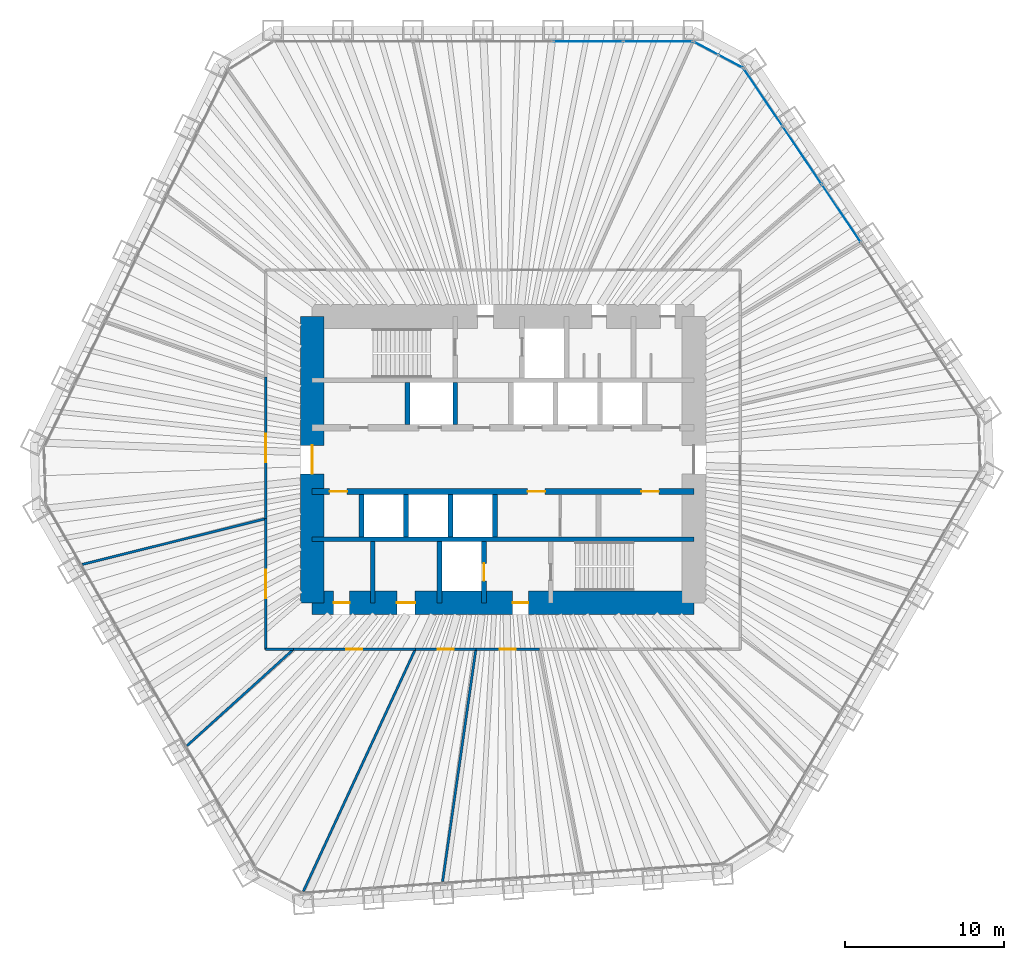
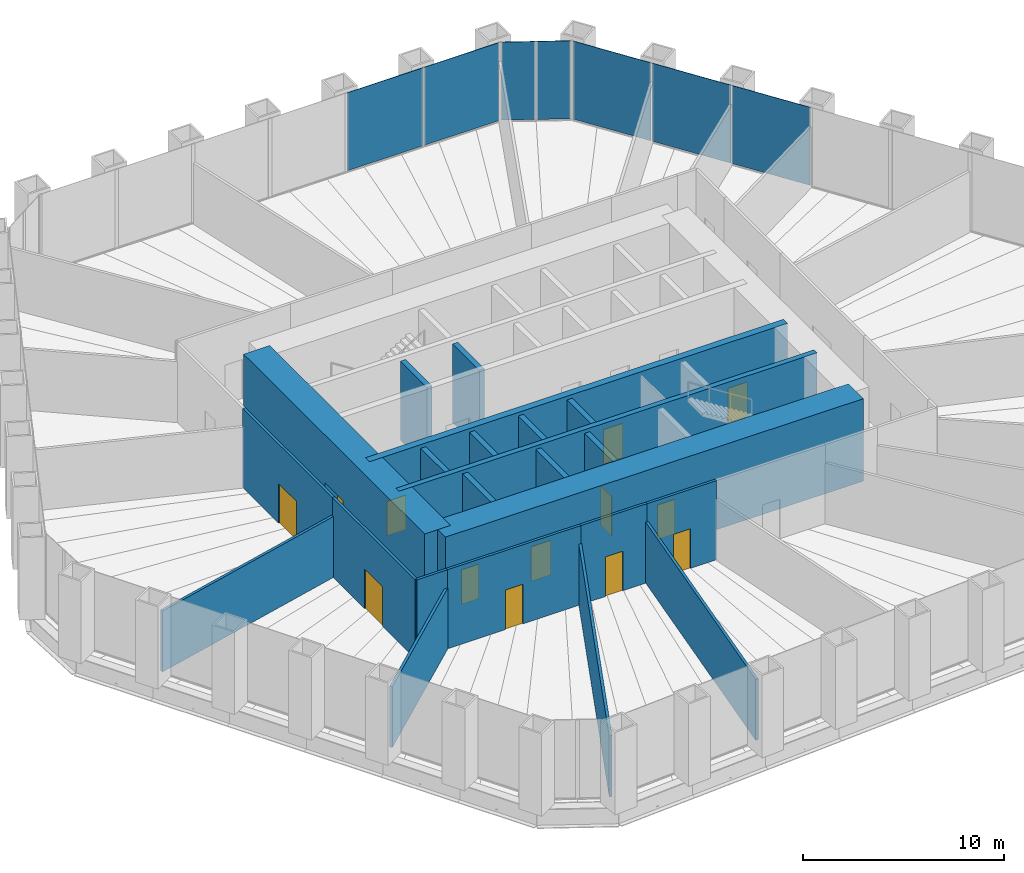
# One storey, part 10 of 14: 23 walls, 13 doors, 7 plates, 13 openings, 3 elements without a shape of their own.
"""IFC4 building model written with IfcOpenShell, lengths in metres."""

from ifc_helpers import new_model, si_unit, direction, frame, frame_2d, origin, origin_2d, place, context, subcontext, project, spatial, rectangle, extrude, material, layer, layer_set, type_object, element, fill, aggregate, save


model = new_model("IFC4")

# Units and contexts
model_context = context("Model", 3, precision=1e-05, world=origin(), true_north=direction((0.0, 1.0)))
body_context = subcontext(model_context, "Body", "Model", "MODEL_VIEW")
ifc_project = project(units=[si_unit("LENGTHUNIT", "METRE"), si_unit("AREAUNIT", "SQUARE_METRE"), si_unit("VOLUMEUNIT", "CUBIC_METRE"), si_unit("PLANEANGLEUNIT", "RADIAN"), si_unit("MASSUNIT", "GRAM", prefix="KILO")], contexts=[model_context])

# Site, building, storey
site_placement = place(None, origin())
site = spatial("IfcSite", under=ifc_project, at=site_placement, CompositionType="ELEMENT")
building_placement = place(site_placement, origin())
building = spatial("IfcBuilding", under=site, at=building_placement, Name="Qingtian Harvest Tower", CompositionType="ELEMENT")
storey_placement = place(building_placement, frame((0.0, 0.0, 82.0)))
storey = spatial("IfcBuildingStorey", under=building, at=storey_placement, Name="L16", CompositionType="ELEMENT", Elevation=82.0)

# Curtain wall, plates
ifc_material_1 = material(Name="Bronze-anodised aluminium curtain wall", Category="aluminium")
curtain_wall_type = type_object("IfcCurtainWallType", Name="Curtain wall CW2 farm reception", PredefinedType="USERDEFINED", material=ifc_material_1)
curtain_wall_1_placement = place(storey_placement, origin())
curtain_wall_1 = element("IfcCurtainWall", 1, at=curtain_wall_1_placement, inside=storey, type_object=curtain_wall_type, Name="Curtain wall CW2 L16 N0-5", ObjectType="RECESSED CURTAIN WALL", PredefinedType="USERDEFINED")
ifc_material_2 = material(Name="Bronze-tinted laminated insulating glass", Category="glass")
ifc_layer_1 = layer(ifc_material_2, 0.030029296875)
ifc_layer_set_1 = layer_set([ifc_layer_1], Name="Glazed panel CWP tinted IGU")
plate_type = type_object("IfcPlateType", Name="Glazed panel CWP tinted IGU", PredefinedType="CURTAIN_PANEL", material=ifc_layer_set_1)
plate_1_placement = place(storey_placement, frame((5.349365234375, 26.300048828125, 0.06494140625), z_axis=(0.0, 0.0, 1.0), x_axis=(1.0, 0.0, 0.0)))
plate_1 = element("IfcPlate", 2, at=plate_1_placement, type_object=plate_type, Name="CW2 panel 5.1", PredefinedType="CURTAIN_PANEL", context=body_context, shape_type="SweptSolid", body=[
    extrude(rectangle(XDim=4.339599609375, YDim=0.030029296875, at=origin_2d()), origin(), (0.0, 0.0, 1.0), 4.735107421875),
])
plate_2_placement = place(storey_placement, frame((9.737548828125, 26.300048828125, 0.06494140625), z_axis=(0.0, 0.0, 1.0), x_axis=(1.0, 0.0, 0.0)))
plate_2 = element("IfcPlate", 3, at=plate_2_placement, type_object=plate_type, Name="CW2 panel 6.1", PredefinedType="CURTAIN_PANEL", context=body_context, shape_type="SweptSolid", body=[
    extrude(rectangle(XDim=4.30712890625, YDim=0.030029296875, at=origin_2d()), origin(), (0.0, 0.0, 1.0), 4.735107421875),
])
aggregate(curtain_wall_1, [plate_1, plate_2])

curtain_wall_2_placement = place(storey_placement, origin())
curtain_wall_2 = element("IfcCurtainWall", 4, at=curtain_wall_2_placement, inside=storey, type_object=curtain_wall_type, Name="Curtain wall CW2 L16 NC", ObjectType="RECESSED CURTAIN WALL", PredefinedType="USERDEFINED")
plate_3_placement = place(storey_placement, frame((12.760986328125, 25.8720703125, 0.06494140625), z_axis=(0.0, 0.0, 1.0), x_axis=(0.882947592859, -0.469471562786, 0.0)))
plate_3 = element("IfcPlate", 5, at=plate_3_placement, type_object=plate_type, Name="CW2 panel 1.1", PredefinedType="CURTAIN_PANEL", context=body_context, shape_type="SweptSolid", body=[
    extrude(rectangle(XDim=1.69287109375, YDim=0.030029296875, at=origin_2d()), origin(), (0.0, 0.0, 1.0), 4.735107421875),
])
plate_4_placement = place(storey_placement, frame((14.31298828125, 25.046875, 0.06494140625), z_axis=(0.0, 0.0, 1.0), x_axis=(0.882947592859, -0.469471562786, 0.0)))
plate_4 = element("IfcPlate", 6, at=plate_4_placement, type_object=plate_type, Name="CW2 panel 2.1", PredefinedType="CURTAIN_PANEL", context=body_context, shape_type="SweptSolid", body=[
    extrude(rectangle(XDim=1.69287109375, YDim=0.030029296875, at=origin_2d()), origin(), (0.0, 0.0, 1.0), 4.735107421875),
])
aggregate(curtain_wall_2, [plate_3, plate_4])

curtain_wall_3_placement = place(storey_placement, origin())
curtain_wall_3 = element("IfcCurtainWall", 7, at=curtain_wall_3_placement, inside=storey, type_object=curtain_wall_type, Name="Curtain wall CW2 L16 NE0-5", ObjectType="RECESSED CURTAIN WALL", PredefinedType="USERDEFINED")
plate_5_placement = place(storey_placement, frame((16.3583984375, 22.779541015625, 0.06494140625), z_axis=(0.0, 0.0, 1.0), x_axis=(0.559192903471, -0.829037572555, 0.0)))
plate_5 = element("IfcPlate", 8, at=plate_5_placement, type_object=plate_type, Name="CW2 panel 1.1", PredefinedType="CURTAIN_PANEL", context=body_context, shape_type="SweptSolid", body=[
    extrude(rectangle(XDim=4.30712890625, YDim=0.030029296875, at=origin_2d()), origin(), (0.0, 0.0, 1.0), 4.735107421875),
])
plate_6_placement = place(storey_placement, frame((18.8125, 19.1416015625, 0.06494140625), z_axis=(0.0, 0.0, 1.0), x_axis=(0.559192903471, -0.829037572555, 0.0)))
plate_6 = element("IfcPlate", 9, at=plate_6_placement, type_object=plate_type, Name="CW2 panel 2.1", PredefinedType="CURTAIN_PANEL", context=body_context, shape_type="SweptSolid", body=[
    extrude(rectangle(XDim=4.339599609375, YDim=0.030029296875, at=origin_2d()), origin(), (0.0, 0.0, 1.0), 4.735107421875),
])
plate_7_placement = place(storey_placement, frame((21.275390625, 15.489990234375, 0.06494140625), z_axis=(0.0, 0.0, 1.0), x_axis=(0.559192903471, -0.829037572555, 0.0)))
plate_7 = element("IfcPlate", 10, at=plate_7_placement, type_object=plate_type, Name="CW2 panel 3.1", PredefinedType="CURTAIN_PANEL", context=body_context, shape_type="SweptSolid", body=[
    extrude(rectangle(XDim=4.339599609375, YDim=0.030029296875, at=origin_2d()), origin(), (0.0, 0.0, 1.0), 4.735107421875),
])
aggregate(curtain_wall_3, [plate_5, plate_6, plate_7])

# Wall
ifc_material_3 = material(Name="Concrete fc' 70 MPa", Category="concrete")
ifc_layer_2 = layer(ifc_material_3, 0.300048828125)
ifc_layer_set_2 = layer_set([ifc_layer_2], Name="Core inner wall RC5 300")
wall_type_1 = type_object("IfcWallType", Name="Core inner wall RC5 300", PredefinedType="SHEAR", material=ifc_layer_set_2)
wall_1_placement = place(storey_placement, frame((-12.0, -5.0, 0.0), z_axis=(0.0, 0.0, 1.0), x_axis=(1.0, 0.0, 0.0)))
element("IfcWall", 11, at=wall_1_placement, inside=storey, type_object=wall_type_1, Name="Core wall IS5 L16", PredefinedType="SHEAR", context=body_context, shape_type="SweptSolid", body=[
    extrude(rectangle(XDim=24.0, YDim=0.300048828125, at=frame_2d((12.0, 0.0))), origin(), (0.0, 0.0, 1.0), 5.0),
])

# Wall, openings, doors
ifc_material_4 = material(Name="Concrete fc' 70 MPa", Category="concrete")
ifc_layer_3 = layer(ifc_material_4, 0.39990234375)
ifc_layer_set_3 = layer_set([ifc_layer_3], Name="Core inner web RC6 400")
wall_type_2 = type_object("IfcWallType", Name="Core inner web RC6 400", PredefinedType="SHEAR", material=ifc_layer_set_3)
wall_2_placement = place(storey_placement, frame((-12.0, -2.0, 0.0), z_axis=(0.0, 0.0, 1.0), x_axis=(1.0, 0.0, 0.0)))
wall_2 = element("IfcWall", 12, at=wall_2_placement, inside=storey, type_object=wall_type_2, Name="Core wall IS2 L16", PredefinedType="SHEAR", context=body_context, shape_type="SweptSolid", body=[
    extrude(rectangle(XDim=24.0, YDim=0.39990234375, at=frame_2d((12.0, 0.0))), origin(), (0.0, 0.0, 1.0), 5.0),
])
opening_1_placement = place(wall_2_placement, frame((1.10009765625, 0.0, 0.0)))
opening_1 = element("IfcOpeningElement", 13, at=opening_1_placement, cuts=wall_2, Name="Opening FD4", PredefinedType="OPENING", context=body_context, shape_type="SweptSolid", body=[
    extrude(rectangle(XDim=1.10009765625, YDim=2.10009765625, at=frame_2d((0.550048828125, 1.050048828125))), frame((0.0, 0.2099609375, 0.0), z_axis=(0.0, -1.0, 0.0), x_axis=(1.0, 0.0, 0.0)), (0.0, 0.0, 1.0), 0.419921875),
])
opening_2_placement = place(wall_2_placement, frame((13.550048828125, 0.0, 0.0)))
opening_2 = element("IfcOpeningElement", 14, at=opening_2_placement, cuts=wall_2, Name="Opening FD4", PredefinedType="OPENING", context=body_context, shape_type="SweptSolid", body=[
    extrude(rectangle(XDim=1.10009765625, YDim=2.10009765625, at=frame_2d((0.550048828125, 1.050048828125))), frame((0.0, 0.2099609375, 0.0), z_axis=(0.0, -1.0, 0.0), x_axis=(1.0, 0.0, 0.0)), (0.0, 0.0, 1.0), 0.419921875),
])
opening_3_placement = place(wall_2_placement, frame((20.699951171875, 0.0, 0.0)))
opening_3 = element("IfcOpeningElement", 15, at=opening_3_placement, cuts=wall_2, Name="Opening FD4", PredefinedType="OPENING", context=body_context, shape_type="SweptSolid", body=[
    extrude(rectangle(XDim=1.10009765625, YDim=2.10009765625, at=frame_2d((0.550048828125, 1.050048828125))), frame((0.0, 0.2099609375, 0.0), z_axis=(0.0, -1.0, 0.0), x_axis=(1.0, 0.0, 0.0)), (0.0, 0.0, 1.0), 0.419921875),
])
ifc_material_5 = material(Name="Steel-faced door leaf", Category="steel")
door_type_1 = type_object("IfcDoorType", Name="Fire door FD4 single 2 HR", OperationType="SINGLE_SWING_LEFT", PredefinedType="DOOR", material=ifc_material_5)
door_1_placement = place(opening_1_placement, origin())
door_1 = element("IfcDoor", 16, at=door_1_placement, inside=storey, type_object=door_type_1, Name="RB door L16", OperationType="SINGLE_SWING_RIGHT", OverallHeight=2.10009765625, OverallWidth=1.10009765625, PredefinedType="DOOR", context=body_context, shape_type="SweptSolid", body=[
    extrude(rectangle(XDim=1.10009765625, YDim=2.10009765625, at=frame_2d((0.550048828125, 1.050048828125))), frame((0.0, 0.02490234375, 0.0), z_axis=(0.0, -1.0, 0.0), x_axis=(1.0, 0.0, 0.0)), (0.0, 0.0, 1.0), 0.050048828125),
])
fill(opening_1, door_1)
door_2_placement = place(opening_2_placement, origin())
door_2 = element("IfcDoor", 17, at=door_2_placement, inside=storey, type_object=door_type_1, Name="ELEC door L16", OperationType="SINGLE_SWING_LEFT", OverallHeight=2.10009765625, OverallWidth=1.10009765625, PredefinedType="DOOR", context=body_context, shape_type="SweptSolid", body=[
    extrude(rectangle(XDim=1.10009765625, YDim=2.10009765625, at=frame_2d((0.550048828125, 1.050048828125))), frame((0.0, 0.02490234375, 0.0), z_axis=(0.0, -1.0, 0.0), x_axis=(1.0, 0.0, 0.0)), (0.0, 0.0, 1.0), 0.050048828125),
])
fill(opening_2, door_2)
door_3_placement = place(opening_3_placement, origin())
door_3 = element("IfcDoor", 18, at=door_3_placement, inside=storey, type_object=door_type_1, Name="DUCT door L16", OperationType="SINGLE_SWING_RIGHT", OverallHeight=2.10009765625, OverallWidth=1.10009765625, PredefinedType="DOOR", context=body_context, shape_type="SweptSolid", body=[
    extrude(rectangle(XDim=1.10009765625, YDim=2.10009765625, at=frame_2d((0.550048828125, 1.050048828125))), frame((0.0, 0.02490234375, 0.0), z_axis=(0.0, -1.0, 0.0), x_axis=(1.0, 0.0, 0.0)), (0.0, 0.0, 1.0), 0.050048828125),
])
fill(opening_3, door_3)

# Walls
ifc_material_6 = material(Name="Precast concrete shaft panel", Category="concrete")
ifc_layer_4 = layer(ifc_material_6, 0.300048828125)
ifc_layer_set_4 = layer_set([ifc_layer_4], Name="Core shaft partition SW1 300")
wall_type_3 = type_object("IfcWallType", Name="Core shaft partition SW1 300", PredefinedType="PARTITIONING", material=ifc_layer_set_4)
for number, where, z_axis, x_axis, name in (
    (19, (-6.0, 2.199951171875, 0.0), (0.0, 0.0, 1.0), (0.0, 1.0, 0.0), "Core shaft partition XA1 L16"),
    (20, (-3.0, 2.199951171875, 0.0), (0.0, 0.0, 1.0), (0.0, 1.0, 0.0), "Core shaft partition XA2 L16"),
    (21, (-8.89990234375, -4.85009765625, 0.0), (0.0, 0.0, 1.0), (0.0, 1.0, 0.0), "Core shaft partition XB1 L16"),
    (22, (-6.10009765625, -4.85009765625, 0.0), (0.0, 0.0, 1.0), (0.0, 1.0, 0.0), "Core shaft partition XB2 L16"),
    (23, (-3.300048828125, -4.85009765625, 0.0), (0.0, 0.0, 1.0), (0.0, 1.0, 0.0), "Core shaft partition XB3 L16"),
    (24, (-0.5, -4.85009765625, 0.0), (0.0, 0.0, 1.0), (0.0, 1.0, 0.0), "Core shaft partition XB4 L16"),
):
    element("IfcWall", number, at=place(storey_placement, frame(where, z_axis=z_axis, x_axis=x_axis)), inside=storey, type_object=wall_type_3, Name=name, PredefinedType="PARTITIONING", context=body_context, shape_type="SweptSolid", body=[
        extrude(rectangle(XDim=2.650146484375, YDim=0.300048828125, at=frame_2d((1.3251953125, 0.0))), origin(), (0.0, 0.0, 1.0), 4.780029296875),
    ])
for number, where, z_axis, x_axis, name in (
    (25, (-8.199951171875, -9.0, 0.0), (0.0, 0.0, 1.0), (0.0, 1.0, 0.0), "Core shaft partition XS1 L16"),
    (26, (-4.0, -9.0, 0.0), (0.0, 0.0, 1.0), (0.0, 1.0, 0.0), "Core shaft partition XS2 L16"),
):
    element("IfcWall", number, at=place(storey_placement, frame(where, z_axis=z_axis, x_axis=x_axis)), inside=storey, type_object=wall_type_3, Name=name, PredefinedType="PARTITIONING", context=body_context, shape_type="SweptSolid", body=[
        extrude(rectangle(XDim=3.85009765625, YDim=0.300048828125, at=frame_2d((1.925048828125, 0.0))), origin(), (0.0, 0.0, 1.0), 4.780029296875),
    ])

# Wall, opening, door
wall_3_placement = place(storey_placement, frame((-1.199951171875, -9.0, 0.0), z_axis=(0.0, 0.0, 1.0), x_axis=(0.0, 1.0, 0.0)))
wall_3 = element("IfcWall", 27, at=wall_3_placement, inside=storey, type_object=wall_type_3, Name="Core shaft partition XS3 L16", PredefinedType="PARTITIONING", context=body_context, shape_type="SweptSolid", body=[
    extrude(rectangle(XDim=3.85009765625, YDim=0.300048828125, at=frame_2d((1.925048828125, 0.0))), origin(), (0.0, 0.0, 1.0), 4.780029296875),
])
opening_4_placement = place(wall_3_placement, frame((1.375, 0.0, 0.0)))
opening_4 = element("IfcOpeningElement", 28, at=opening_4_placement, cuts=wall_3, Name="Opening LD1", PredefinedType="OPENING", context=body_context, shape_type="SweptSolid", body=[
    extrude(rectangle(XDim=1.10009765625, YDim=2.39990234375, at=frame_2d((0.550048828125, 1.199951171875))), frame((0.0, 0.159912109375, 0.0), z_axis=(0.0, -1.0, 0.0), x_axis=(1.0, 0.0, 0.0)), (0.0, 0.0, 1.0), 0.320068359375),
])
ifc_material_7 = material(Name="Stainless steel lift landing door", Category="steel")
door_type_2 = type_object("IfcDoorType", Name="Lift landing door LD1 1 HR", OperationType="DOUBLE_DOOR_SLIDING", PredefinedType="DOOR", material=ifc_material_7)
door_4_placement = place(opening_4_placement, origin())
door_4 = element("IfcDoor", 29, at=door_4_placement, inside=storey, type_object=door_type_2, Name="FL2 landing door L16", OperationType="DOUBLE_DOOR_SLIDING", OverallHeight=2.39990234375, OverallWidth=1.10009765625, PredefinedType="DOOR", context=body_context, shape_type="SweptSolid", body=[
    extrude(rectangle(XDim=1.10009765625, YDim=2.39990234375, at=frame_2d((0.550048828125, 1.199951171875))), frame((0.0, 0.02490234375, 0.0), z_axis=(0.0, -1.0, 0.0), x_axis=(1.0, 0.0, 0.0)), (0.0, 0.0, 1.0), 0.050048828125),
])
fill(opening_4, door_4)

# Wall, openings, doors
ifc_material_8 = material(Name="Concrete fc' 70 MPa", Category="concrete")
ifc_layer_5 = layer(ifc_material_8, 1.5)
ifc_layer_set_5 = layer_set([ifc_layer_5], Name="Core wall RC1 1500")
wall_type_4 = type_object("IfcWallType", Name="Core wall RC1 1500", PredefinedType="SHEAR", material=ifc_layer_set_5)
wall_4_placement = place(storey_placement, frame((-12.0, -9.0, 0.0), z_axis=(0.0, 0.0, 1.0), x_axis=(1.0, 0.0, 0.0)))
wall_4 = element("IfcWall", 30, at=wall_4_placement, inside=storey, type_object=wall_type_4, Name="Core wall CS L16", PredefinedType="SHEAR", context=body_context, shape_type="SweptSolid", body=[
    extrude(rectangle(XDim=24.0, YDim=1.5, at=frame_2d((12.0, 0.0))), origin(), (0.0, 0.0, 1.0), 5.0),
])
opening_5_placement = place(wall_4_placement, frame((1.35009765625, 0.0, 0.0)))
opening_5 = element("IfcOpeningElement", 31, at=opening_5_placement, cuts=wall_4, Name="Opening FD1", PredefinedType="OPENING", context=body_context, shape_type="SweptSolid", body=[
    extrude(rectangle(XDim=1.0, YDim=2.10009765625, at=frame_2d((0.5, 1.050048828125))), frame((0.0, 0.760009765625, 0.0), z_axis=(0.0, -1.0, 0.0), x_axis=(1.0, 0.0, 0.0)), (0.0, 0.0, 1.0), 1.52001953125),
])
opening_6_placement = place(wall_4_placement, frame((5.324951171875, 0.0, 0.0)))
opening_6 = element("IfcOpeningElement", 32, at=opening_6_placement, cuts=wall_4, Name="Opening AD1", PredefinedType="OPENING", context=body_context, shape_type="SweptSolid", body=[
    extrude(rectangle(XDim=1.14990234375, YDim=2.10009765625, at=frame_2d((0.574951171875, 1.050048828125))), frame((0.0, 0.760009765625, 0.0), z_axis=(0.0, -1.0, 0.0), x_axis=(1.0, 0.0, 0.0)), (0.0, 0.0, 1.0), 1.52001953125),
])
opening_7_placement = place(wall_4_placement, frame((12.60009765625, 0.0, 0.0)))
opening_7 = element("IfcOpeningElement", 33, at=opening_7_placement, cuts=wall_4, Name="Opening FD1", PredefinedType="OPENING", context=body_context, shape_type="SweptSolid", body=[
    extrude(rectangle(XDim=1.0, YDim=2.10009765625, at=frame_2d((0.5, 1.050048828125))), frame((0.0, 0.760009765625, 0.0), z_axis=(0.0, -1.0, 0.0), x_axis=(1.0, 0.0, 0.0)), (0.0, 0.0, 1.0), 1.52001953125),
])
ifc_material_9 = material(Name="Laminated timber door leaf", Category="wood")
door_type_3 = type_object("IfcDoorType", Name="Accessible WC door AD1 single", OperationType="SINGLE_SWING_LEFT", PredefinedType="DOOR", material=ifc_material_9)
door_5_placement = place(opening_6_placement, origin())
door_5 = element("IfcDoor", 34, at=door_5_placement, inside=storey, type_object=door_type_3, Name="AWC door L16", OperationType="SINGLE_SWING_LEFT", OverallHeight=2.10009765625, OverallWidth=1.14990234375, PredefinedType="DOOR", context=body_context, shape_type="SweptSolid", body=[
    extrude(rectangle(XDim=1.14990234375, YDim=2.10009765625, at=frame_2d((0.574951171875, 1.050048828125))), frame((0.0, 0.02490234375, 0.0), z_axis=(0.0, -1.0, 0.0), x_axis=(1.0, 0.0, 0.0)), (0.0, 0.0, 1.0), 0.050048828125),
])
fill(opening_6, door_5)
ifc_material_10 = material(Name="Steel-faced door leaf", Category="steel")
door_type_4 = type_object("IfcDoorType", Name="Fire door FD1 single 1 HR", OperationType="SINGLE_SWING_LEFT", PredefinedType="DOOR", material=ifc_material_10)
door_6_placement = place(opening_5_placement, origin())
door_6 = element("IfcDoor", 35, at=door_6_placement, inside=storey, type_object=door_type_4, Name="CLN door L16", OperationType="SINGLE_SWING_RIGHT", OverallHeight=2.10009765625, OverallWidth=1.0, PredefinedType="DOOR", context=body_context, shape_type="SweptSolid", body=[
    extrude(rectangle(XDim=1.0, YDim=2.10009765625, at=frame_2d((0.5, 1.050048828125))), frame((0.0, 0.02490234375, 0.0), z_axis=(0.0, -1.0, 0.0), x_axis=(1.0, 0.0, 0.0)), (0.0, 0.0, 1.0), 0.050048828125),
])
fill(opening_5, door_6)
door_7_placement = place(opening_7_placement, origin())
door_7 = element("IfcDoor", 36, at=door_7_placement, inside=storey, type_object=door_type_4, Name="V2 door L16", OperationType="SINGLE_SWING_LEFT", OverallHeight=2.10009765625, OverallWidth=1.0, PredefinedType="DOOR", context=body_context, shape_type="SweptSolid", body=[
    extrude(rectangle(XDim=1.0, YDim=2.10009765625, at=frame_2d((0.5, 1.050048828125))), frame((0.0, 0.02490234375, 0.0), z_axis=(0.0, -1.0, 0.0), x_axis=(1.0, 0.0, 0.0)), (0.0, 0.0, 1.0), 0.050048828125),
])
fill(opening_7, door_7)

# Wall, opening, door
wall_5_placement = place(storey_placement, frame((-12.0, -9.0, 0.0), z_axis=(0.0, 0.0, 1.0), x_axis=(0.0, 1.0, 0.0)))
wall_5 = element("IfcWall", 37, at=wall_5_placement, inside=storey, type_object=wall_type_4, Name="Core wall CW L16", PredefinedType="SHEAR", context=body_context, shape_type="SweptSolid", body=[
    extrude(rectangle(XDim=18.0, YDim=1.5, at=frame_2d((9.0, 0.0))), origin(), (0.0, 0.0, 1.0), 5.0),
])
opening_8_placement = place(wall_5_placement, frame((8.10009765625, 0.0, 0.0)))
opening_8 = element("IfcOpeningElement", 38, at=opening_8_placement, cuts=wall_5, Name="Opening FD2", PredefinedType="OPENING", context=body_context, shape_type="SweptSolid", body=[
    extrude(rectangle(XDim=1.800048828125, YDim=2.10009765625, at=frame_2d((0.89990234375, 1.050048828125))), frame((0.0, 0.760009765625, 0.0), z_axis=(0.0, -1.0, 0.0), x_axis=(1.0, 0.0, 0.0)), (0.0, 0.0, 1.0), 1.52001953125),
])
ifc_material_11 = material(Name="Steel-faced door leaf", Category="steel")
door_type_5 = type_object("IfcDoorType", Name="Fire door FD2 double 1 HR", OperationType="DOUBLE_DOOR_DOUBLE_SWING", PredefinedType="DOOR", material=ifc_material_11)
door_8_placement = place(opening_8_placement, origin())
door_8 = element("IfcDoor", 39, at=door_8_placement, inside=storey, type_object=door_type_5, Name="LOBBY-W door L16", OperationType="DOUBLE_DOOR_DOUBLE_SWING", OverallHeight=2.10009765625, OverallWidth=1.800048828125, PredefinedType="DOOR", context=body_context, shape_type="SweptSolid", body=[
    extrude(rectangle(XDim=1.800048828125, YDim=2.10009765625, at=frame_2d((0.89990234375, 1.050048828125))), frame((0.0, 0.02490234375, 0.0), z_axis=(0.0, -1.0, 0.0), x_axis=(1.0, 0.0, 0.0)), (0.0, 0.0, 1.0), 0.050048828125),
])
fill(opening_8, door_8)

ifc_material_12 = material(Name="Gypsum board on steel studs", Category="steel")
ifc_layer_6 = layer(ifc_material_12, 0.14990234375)
ifc_layer_set_6 = layer_set([ifc_layer_6], Name="Partition PT1 150")
wall_type_5 = type_object("IfcWallType", Name="Partition PT1 150", PredefinedType="PARTITIONING", material=ifc_layer_set_6)
wall_6_placement = place(storey_placement, frame((2.27978515625, -11.925048828125, 0.0), z_axis=(0.0, 0.0, 1.0), x_axis=(-1.0, 0.0, 0.0)))
wall_6 = element("IfcWall", 40, at=wall_6_placement, inside=storey, type_object=wall_type_5, Name="Seed lab wall L16", PredefinedType="PARTITIONING", context=body_context, shape_type="SweptSolid", body=[
    extrude(rectangle(XDim=3.987548828125, YDim=0.14990234375, at=frame_2d((1.99365234375, 0.0))), origin(), (0.0, 0.0, 1.0), 4.800048828125),
])
opening_9_placement = place(wall_6_placement, frame((1.493896484375, 0.0, 0.0)))
opening_9 = element("IfcOpeningElement", 41, at=opening_9_placement, cuts=wall_6, Name="Opening D2", PredefinedType="OPENING", context=body_context, shape_type="SweptSolid", body=[
    extrude(rectangle(XDim=1.0, YDim=2.39990234375, at=frame_2d((0.5, 1.199951171875))), frame((0.0, 0.0849609375, 0.0), z_axis=(0.0, -1.0, 0.0), x_axis=(1.0, 0.0, 0.0)), (0.0, 0.0, 1.0), 0.169921875),
])
ifc_material_13 = material(Name="Laminated timber door leaf", Category="wood")
door_type_6 = type_object("IfcDoorType", Name="Room door D2 single", OperationType="SINGLE_SWING_LEFT", PredefinedType="DOOR", material=ifc_material_13)
door_9_placement = place(opening_9_placement, origin())
door_9 = element("IfcDoor", 42, at=door_9_placement, inside=storey, type_object=door_type_6, Name="Seed lab door L16", OperationType="SINGLE_SWING_LEFT", OverallHeight=2.39990234375, OverallWidth=1.0, PredefinedType="DOOR", context=body_context, shape_type="SweptSolid", body=[
    extrude(rectangle(XDim=1.0, YDim=2.39990234375, at=frame_2d((0.5, 1.199951171875))), frame((0.0, 0.02490234375, 0.0), z_axis=(0.0, -1.0, 0.0), x_axis=(1.0, 0.0, 0.0)), (0.0, 0.0, 1.0), 0.050048828125),
])
fill(opening_9, door_9)

# Wall
wall_7_placement = place(storey_placement, frame((-3.7998046875, -26.531982421875, 0.0), z_axis=(0.0, 0.0, 1.0), x_axis=(0.141775745175, 0.989898801939, 0.0)))
element("IfcWall", 43, at=wall_7_placement, inside=storey, type_object=wall_type_5, Name="Plant pathology lab wall L16", PredefinedType="PARTITIONING", context=body_context, shape_type="SweptSolid", body=[
    extrude(rectangle(XDim=14.756103515625, YDim=0.14990234375, at=frame_2d((7.3779296875, 0.0))), origin(), (0.0, 0.0, 1.0), 3.699951171875),
])

# Wall, opening, door
wall_8_placement = place(storey_placement, frame((-1.707763671875, -11.925048828125, 0.0), z_axis=(0.0, 0.0, 1.0), x_axis=(-1.0, 0.0, 0.0)))
wall_8 = element("IfcWall", 44, at=wall_8_placement, inside=storey, type_object=wall_type_5, Name="Plant pathology lab wall L16", PredefinedType="PARTITIONING", context=body_context, shape_type="SweptSolid", body=[
    extrude(rectangle(XDim=3.807861328125, YDim=0.14990234375, at=frame_2d((1.90380859375, 0.0))), origin(), (0.0, 0.0, 1.0), 4.800048828125),
])
opening_10_placement = place(wall_8_placement, frame((1.40380859375, 0.0, 0.0)))
opening_10 = element("IfcOpeningElement", 45, at=opening_10_placement, cuts=wall_8, Name="Opening D2", PredefinedType="OPENING", context=body_context, shape_type="SweptSolid", body=[
    extrude(rectangle(XDim=1.0, YDim=2.39990234375, at=frame_2d((0.5, 1.199951171875))), frame((0.0, 0.0849609375, 0.0), z_axis=(0.0, -1.0, 0.0), x_axis=(1.0, 0.0, 0.0)), (0.0, 0.0, 1.0), 0.169921875),
])
door_10_placement = place(opening_10_placement, origin())
door_10 = element("IfcDoor", 46, at=door_10_placement, inside=storey, type_object=door_type_6, Name="Plant pathology lab door L16", OperationType="SINGLE_SWING_RIGHT", OverallHeight=2.39990234375, OverallWidth=1.0, PredefinedType="DOOR", context=body_context, shape_type="SweptSolid", body=[
    extrude(rectangle(XDim=1.0, YDim=2.39990234375, at=frame_2d((0.5, 1.199951171875))), frame((0.0, 0.02490234375, 0.0), z_axis=(0.0, -1.0, 0.0), x_axis=(1.0, 0.0, 0.0)), (0.0, 0.0, 1.0), 0.050048828125),
])
fill(opening_10, door_10)

# Wall
wall_9_placement = place(storey_placement, frame((-12.5595703125, -27.154541015625, 0.0), z_axis=(0.0, 0.0, 1.0), x_axis=(0.41979248878, 0.90762011126, 0.0)))
element("IfcWall", 47, at=wall_9_placement, inside=storey, type_object=wall_type_5, Name="Lab office wall L16", PredefinedType="PARTITIONING", context=body_context, shape_type="SweptSolid", body=[
    extrude(rectangle(XDim=16.779541015625, YDim=0.14990234375, at=frame_2d((8.3896484375, 0.0))), origin(), (0.0, 0.0, 1.0), 3.699951171875),
])

# Wall, opening, door
wall_10_placement = place(storey_placement, frame((-5.515625, -11.925048828125, 0.0), z_axis=(0.0, 0.0, 1.0), x_axis=(-1.0, 0.0, 0.0)))
wall_10 = element("IfcWall", 48, at=wall_10_placement, inside=storey, type_object=wall_type_5, Name="Lab office wall L16", PredefinedType="PARTITIONING", context=body_context, shape_type="SweptSolid", body=[
    extrude(rectangle(XDim=7.658935546875, YDim=0.14990234375, at=frame_2d((3.82958984375, 0.0))), origin(), (0.0, 0.0, 1.0), 4.800048828125),
])
opening_11_placement = place(wall_10_placement, frame((3.329345703125, 0.0, 0.0)))
opening_11 = element("IfcOpeningElement", 49, at=opening_11_placement, cuts=wall_10, Name="Opening D2", PredefinedType="OPENING", context=body_context, shape_type="SweptSolid", body=[
    extrude(rectangle(XDim=1.0, YDim=2.39990234375, at=frame_2d((0.5, 1.199951171875))), frame((0.0, 0.0849609375, 0.0), z_axis=(0.0, -1.0, 0.0), x_axis=(1.0, 0.0, 0.0)), (0.0, 0.0, 1.0), 0.169921875),
])
door_11_placement = place(opening_11_placement, origin())
door_11 = element("IfcDoor", 50, at=door_11_placement, inside=storey, type_object=door_type_6, Name="Lab office door L16", OperationType="SINGLE_SWING_RIGHT", OverallHeight=2.39990234375, OverallWidth=1.0, PredefinedType="DOOR", context=body_context, shape_type="SweptSolid", body=[
    extrude(rectangle(XDim=1.0, YDim=2.39990234375, at=frame_2d((0.5, 1.199951171875))), frame((0.0, 0.02490234375, 0.0), z_axis=(0.0, -1.0, 0.0), x_axis=(1.0, 0.0, 0.0)), (0.0, 0.0, 1.0), 0.050048828125),
])
fill(opening_11, door_11)

# Walls
wall_11_placement = place(storey_placement, frame((-19.87109375, -17.986572265625, 0.0), z_axis=(0.0, 0.0, 1.0), x_axis=(0.741383998931, 0.671081042892, 0.0)))
element("IfcWall", 51, at=wall_11_placement, inside=storey, type_object=wall_type_5, Name="Growth chamber room wall L16", PredefinedType="PARTITIONING", context=body_context, shape_type="SweptSolid", body=[
    extrude(rectangle(XDim=9.032470703125, YDim=0.14990234375, at=frame_2d((4.51611328125, 0.0))), origin(), (0.0, 0.0, 1.0), 3.699951171875),
])
wall_12_placement = place(storey_placement, frame((-13.174560546875, -11.925048828125, 0.0), z_axis=(0.0, 0.0, 1.0), x_axis=(-1.0, 0.0, 0.0)))
element("IfcWall", 52, at=wall_12_placement, inside=storey, type_object=wall_type_5, Name="Growth chamber room wall L16", PredefinedType="PARTITIONING", context=body_context, shape_type="SweptSolid", body=[
    extrude(rectangle(XDim=1.75048828125, YDim=0.14990234375, at=frame_2d((0.875244140625, 0.0))), origin(), (0.0, 0.0, 1.0), 4.800048828125),
])

# Wall, opening, door
wall_13_placement = place(storey_placement, frame((-14.925048828125, -11.925048828125, 0.0), z_axis=(0.0, 0.0, 1.0), x_axis=(0.0, 1.0, 0.0)))
wall_13 = element("IfcWall", 53, at=wall_13_placement, inside=storey, type_object=wall_type_5, Name="Growth chamber room wall L16", PredefinedType="PARTITIONING", context=body_context, shape_type="SweptSolid", body=[
    extrude(rectangle(XDim=8.20947265625, YDim=0.14990234375, at=frame_2d((4.104736328125, 0.0))), origin(), (0.0, 0.0, 1.0), 4.800048828125),
])
opening_12_placement = place(wall_13_placement, frame((3.204833984375, 0.0, 0.0)))
opening_12 = element("IfcOpeningElement", 54, at=opening_12_placement, cuts=wall_13, Name="Opening D3", PredefinedType="OPENING", context=body_context, shape_type="SweptSolid", body=[
    extrude(rectangle(XDim=1.800048828125, YDim=2.39990234375, at=frame_2d((0.89990234375, 1.199951171875))), frame((0.0, 0.0849609375, 0.0), z_axis=(0.0, -1.0, 0.0), x_axis=(1.0, 0.0, 0.0)), (0.0, 0.0, 1.0), 0.169921875),
])
ifc_material_14 = material(Name="Laminated timber door leaf", Category="wood")
door_type_7 = type_object("IfcDoorType", Name="Room door D3 double", OperationType="DOUBLE_DOOR_DOUBLE_SWING", PredefinedType="DOOR", material=ifc_material_14)
door_12_placement = place(opening_12_placement, origin())
door_12 = element("IfcDoor", 55, at=door_12_placement, inside=storey, type_object=door_type_7, Name="Growth chamber room door L16", OperationType="DOUBLE_DOOR_DOUBLE_SWING", OverallHeight=2.39990234375, OverallWidth=1.800048828125, PredefinedType="DOOR", context=body_context, shape_type="SweptSolid", body=[
    extrude(rectangle(XDim=1.800048828125, YDim=2.39990234375, at=frame_2d((0.89990234375, 1.199951171875))), frame((0.0, 0.02490234375, 0.0), z_axis=(0.0, -1.0, 0.0), x_axis=(1.0, 0.0, 0.0)), (0.0, 0.0, 1.0), 0.050048828125),
])
fill(opening_12, door_12)

# Wall
wall_14_placement = place(storey_placement, frame((-26.455322265625, -6.5859375, 0.0), z_axis=(0.0, 0.0, 1.0), x_axis=(0.970383745231, 0.241568596864, 0.0)))
element("IfcWall", 56, at=wall_14_placement, inside=storey, type_object=wall_type_5, Name="Growth chamber room wall L16", PredefinedType="PARTITIONING", context=body_context, shape_type="SweptSolid", body=[
    extrude(rectangle(XDim=11.882080078125, YDim=0.14990234375, at=frame_2d((5.94091796875, 0.0))), origin(), (0.0, 0.0, 1.0), 3.699951171875),
])

# Wall, opening, door
wall_15_placement = place(storey_placement, frame((-14.925048828125, -3.715576171875, 0.0), z_axis=(0.0, 0.0, 1.0), x_axis=(0.0, 1.0, 0.0)))
wall_15 = element("IfcWall", 57, at=wall_15_placement, inside=storey, type_object=wall_type_5, Name="Growth chamber room wall L16", PredefinedType="PARTITIONING", context=body_context, shape_type="SweptSolid", body=[
    extrude(rectangle(XDim=8.90625, YDim=0.14990234375, at=frame_2d((4.453125, 0.0))), origin(), (0.0, 0.0, 1.0), 4.800048828125),
])
opening_13_placement = place(wall_15_placement, frame((3.552978515625, 0.0, 0.0)))
opening_13 = element("IfcOpeningElement", 58, at=opening_13_placement, cuts=wall_15, Name="Opening D3", PredefinedType="OPENING", context=body_context, shape_type="SweptSolid", body=[
    extrude(rectangle(XDim=1.800048828125, YDim=2.39990234375, at=frame_2d((0.89990234375, 1.199951171875))), frame((0.0, 0.0849609375, 0.0), z_axis=(0.0, -1.0, 0.0), x_axis=(1.0, 0.0, 0.0)), (0.0, 0.0, 1.0), 0.169921875),
])
door_13_placement = place(opening_13_placement, origin())
door_13 = element("IfcDoor", 59, at=door_13_placement, inside=storey, type_object=door_type_7, Name="Growth chamber room door L16", OperationType="DOUBLE_DOOR_DOUBLE_SWING", OverallHeight=2.39990234375, OverallWidth=1.800048828125, PredefinedType="DOOR", context=body_context, shape_type="SweptSolid", body=[
    extrude(rectangle(XDim=1.800048828125, YDim=2.39990234375, at=frame_2d((0.89990234375, 1.199951171875))), frame((0.0, 0.02490234375, 0.0), z_axis=(0.0, -1.0, 0.0), x_axis=(1.0, 0.0, 0.0)), (0.0, 0.0, 1.0), 0.050048828125),
])
fill(opening_13, door_13)

save(model, "model.ifc")
